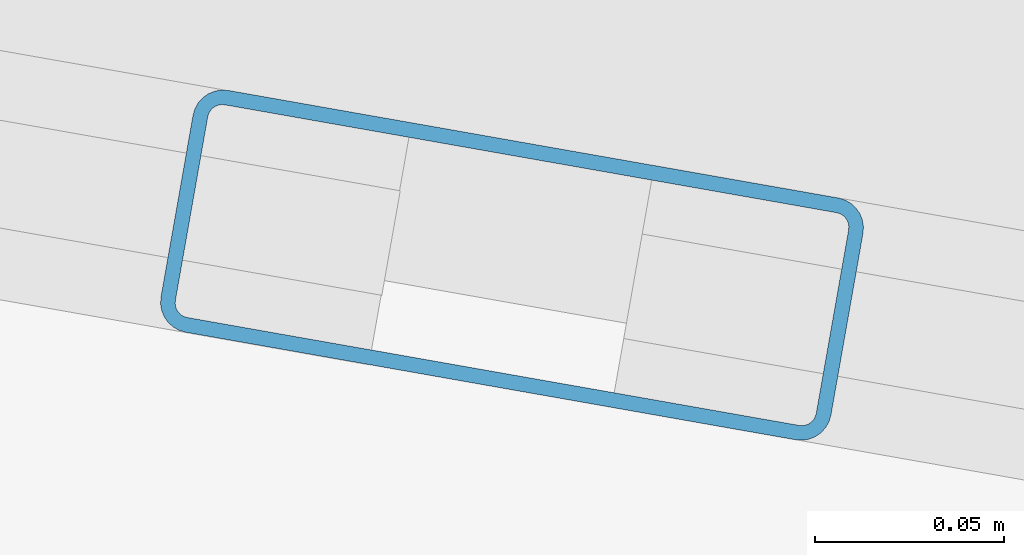
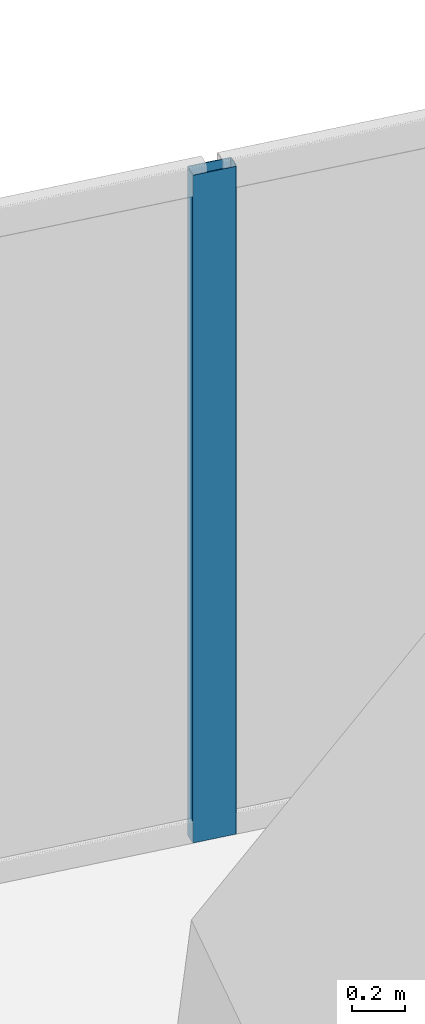
# One storey, part 11 of 24: 1 member, 1 element without a shape of its own.
"""IFC4 building model written with IfcOpenShell, lengths in metres."""

from ifc_helpers import new_model, si_unit, direction, frame, origin, origin_2d, place, context, subcontext, project, spatial, hollow_rectangle, extrude, source, transform, mapped, material, material_profile, profile_set, type_object, element, aggregate, save


model = new_model("IFC4")

# Units and contexts
model_context = context("Model", 3, precision=1e-05, world=origin(), true_north=direction((0.0, 1.0)))
body_context = subcontext(model_context, "Body", "Model", "MODEL_VIEW")
ifc_project = project(units=[si_unit("LENGTHUNIT", "METRE"), si_unit("AREAUNIT", "SQUARE_METRE"), si_unit("VOLUMEUNIT", "CUBIC_METRE"), si_unit("PLANEANGLEUNIT", "RADIAN"), si_unit("MASSUNIT", "GRAM", prefix="KILO")], contexts=[model_context])

# Site, building, storey
site_placement = place(None, origin())
site = spatial("IfcSite", under=ifc_project, at=site_placement, CompositionType="ELEMENT")
building_placement = place(site_placement, origin())
building = spatial("IfcBuilding", under=site, at=building_placement, Name="Torre Montelarca", CompositionType="ELEMENT")
storey_placement = place(building_placement, frame((0.0, 0.0, 83.199951171875)))
storey = spatial("IfcBuildingStorey", under=building, at=storey_placement, Name="L18", CompositionType="ELEMENT", Elevation=83.199951171875)

# Curtain wall, member
ifc_material_1 = material(Name="Insulated low-E laminated glass", Category="glass")
curtain_wall_type = type_object("IfcCurtainWallType", Name="CW-SYS-Z1", PredefinedType="USERDEFINED", material=ifc_material_1)
curtain_wall_placement = place(storey_placement, origin())
curtain_wall = element("IfcCurtainWall", 1, at=curtain_wall_placement, inside=storey, type_object=curtain_wall_type, Name="L18 Curtain Wall Run CW-T3-L18-E08-B1", ObjectType="UNITISED GLAZING", PredefinedType="USERDEFINED")
ifc_material_2 = material(Name="Anodised aluminium AA 6063-T6", Category="aluminium")
ifc_material_profile = material_profile(ifc_material_2, hollow_rectangle(XDim=0.06494140625, YDim=0.179931640625, WallThickness=0.00390625, InnerFilletRadius=0.00390625, OuterFilletRadius=0.008056640625, at=origin_2d()), Name="ALU65X180X4", Category="aluminium")
ifc_profile_set = profile_set([ifc_material_profile], Name="Anodised aluminium AA 6063-T6")
member_type = type_object("IfcMemberType", Name="CWM-ALU180", PredefinedType="MULLION", material=ifc_profile_set)
shared_shape = source(origin(), body_context, "Body", "SweptSolid", [
    extrude(hollow_rectangle(XDim=0.06494140625, YDim=0.179931640625, WallThickness=0.00390625, InnerFilletRadius=0.00390625, OuterFilletRadius=0.008056640625, at=origin_2d()), origin(), (0.0, 0.0, 1.0), 3.074951171875),
])
member_placement = place(storey_placement, frame((44.820556640625, 44.205810546875, 0.0), z_axis=(0.0, 0.0, 1.0), x_axis=(-0.173645051264, -0.984808304276, 0.0)))
member = element("IfcMember", 2, at=member_placement, type_object=member_type, Name="CW mullion 2", PredefinedType="MULLION", context=body_context, shape_type="MappedRepresentation", body=[
    mapped(shared_shape, transform((0.0, 0.0, 0.0), scale=1.0)),
])
aggregate(curtain_wall, [member])

save(model, "model.ifc")
